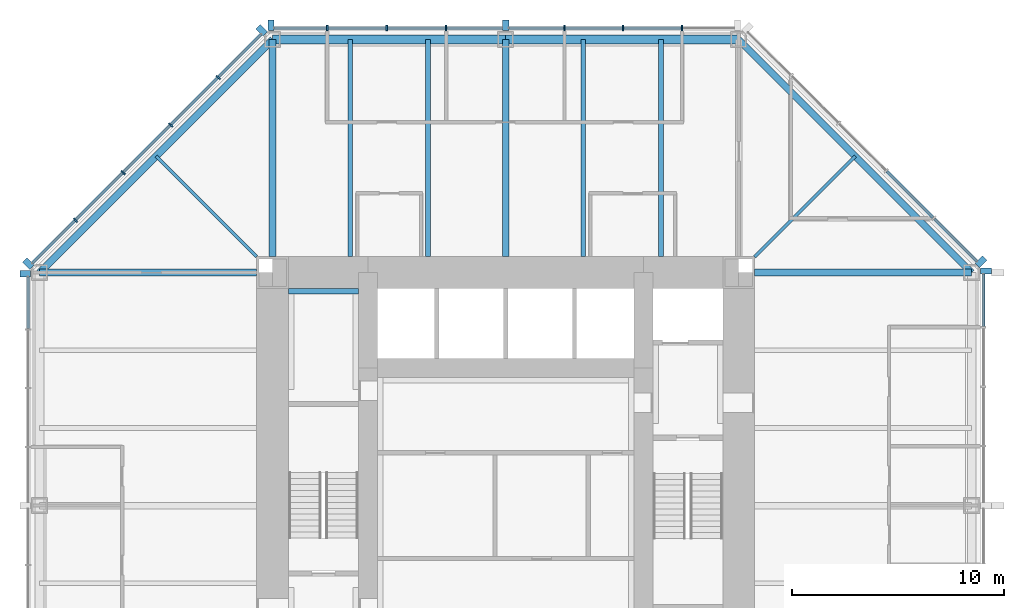
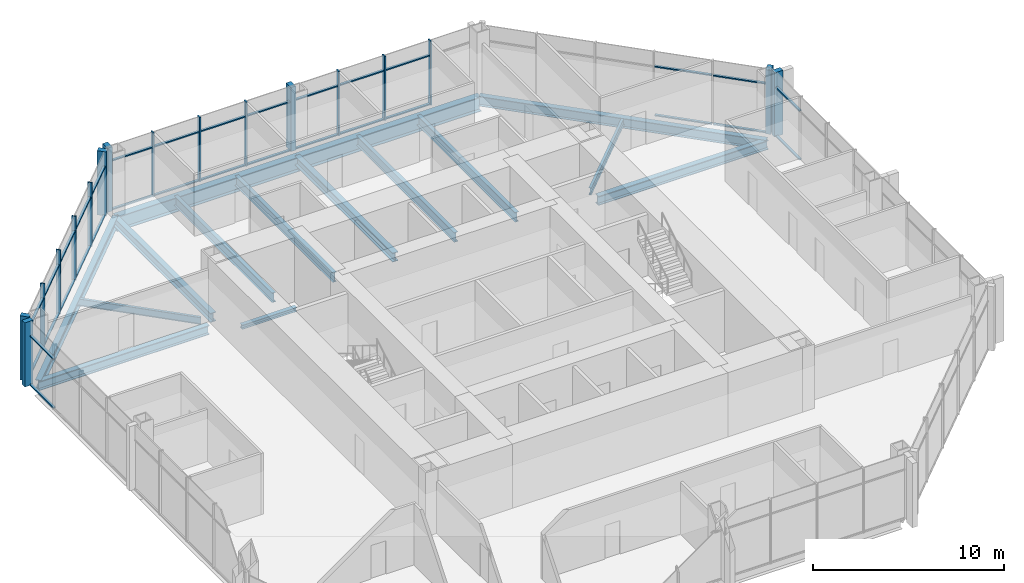
# One storey, part 5 of 12: 49 members, 15 beams, 5 elements without a shape of their own.
"""IFC4 building model written with IfcOpenShell, lengths in metres."""

from ifc_helpers import new_model, si_unit, direction, frame, origin, origin_2d, place, context, subcontext, project, spatial, rectangle, i_section, extrude, material, material_profile, profile_set, type_object, element, aggregate, save


model = new_model("IFC4")

# Units and contexts
model_context = context("Model", 3, precision=1e-05, world=origin(), true_north=direction((0.0, 1.0)))
body_context = subcontext(model_context, "Body", "Model", "MODEL_VIEW")
ifc_project = project(units=[si_unit("LENGTHUNIT", "METRE"), si_unit("AREAUNIT", "SQUARE_METRE"), si_unit("VOLUMEUNIT", "CUBIC_METRE"), si_unit("PLANEANGLEUNIT", "RADIAN"), si_unit("MASSUNIT", "GRAM", prefix="KILO")], contexts=[model_context])

# Site, building, storey
site_placement = place(None, origin())
site = spatial("IfcSite", under=ifc_project, at=site_placement, CompositionType="ELEMENT")
building_placement = place(site_placement, origin())
building = spatial("IfcBuilding", under=site, at=building_placement, Name="Trevanion Tower", CompositionType="ELEMENT")
storey_placement = place(building_placement, frame((0.0, 0.0, 150.0)))
storey = spatial("IfcBuildingStorey", under=building, at=storey_placement, Name="L35", CompositionType="ELEMENT", Elevation=150.0)

# Beams
ifc_material_1 = material(Name="Steel ASTM A992 Grade 50", Category="steel")
ifc_material_profile_1 = material_profile(ifc_material_1, i_section(OverallWidth=0.22900390625, OverallDepth=0.612060546875, WebThickness=0.011962890625, FlangeThickness=0.01953125, at=origin_2d()), Name="W24X84")
ifc_profile_set_1 = profile_set([ifc_material_profile_1], Name="Steel ASTM A992 Grade 50")
beam_type_1 = type_object("IfcBeamType", Name="B7 W24X84", PredefinedType="BEAM", material=ifc_profile_set_1)
for number, where, z_axis, x_axis, name in (
    (1, (7.333251953125, 11.75, -0.49609375), (0.0, 1.0, 0.0), (-1.0, 0.0, 0.0), "B7 L35"),
    (2, (3.666748046875, 11.75, -0.49609375), (0.0, 1.0, 0.0), (-1.0, 0.0, 0.0), "B7 L35"),
    (3, (-3.666748046875, 11.75, -0.49609375), (0.0, 1.0, 0.0), (-1.0, 0.0, 0.0), "B7 L35"),
    (4, (-7.333251953125, 11.75, -0.49609375), (0.0, 1.0, 0.0), (-1.0, 0.0, 0.0), "B7 L35"),
):
    element("IfcBeam", number, at=place(storey_placement, frame(where, z_axis=z_axis, x_axis=x_axis)), inside=storey, type_object=beam_type_1, Name=name, PredefinedType="BEAM", context=body_context, shape_type="SweptSolid", body=[
        extrude(i_section(OverallWidth=0.22900390625, OverallDepth=0.612060546875, WebThickness=0.011962890625, FlangeThickness=0.01953125, at=origin_2d()), origin(), (0.0, 0.0, 1.0), 10.25),
    ])
ifc_material_2 = material(Name="Steel ASTM A992 Grade 50", Category="steel")
ifc_material_profile_2 = material_profile(ifc_material_2, i_section(OverallWidth=0.15234375, OverallDepth=0.449462890625, WebThickness=0.007568359375, FlangeThickness=0.0107421875, at=origin_2d()), Name="W18X35")
ifc_profile_set_2 = profile_set([ifc_material_profile_2], Name="Steel ASTM A992 Grade 50")
beam_type_2 = type_object("IfcBeamType", Name="B8 W18X35", PredefinedType="BEAM", material=ifc_profile_set_2)
for number, where, z_axis, x_axis, name in (
    (5, (11.75, 11.75, -0.414794921875), (0.707106781187, 0.707106781187, 0.0), (-0.707106781187, 0.707106781187, 0.0), "B8 L35"),
    (6, (-11.75, 11.75, -0.414794921875), (-0.707106781187, 0.707106781187, 0.0), (-0.707106781187, -0.707106781187, 0.0), "B8 L35"),
):
    element("IfcBeam", number, at=place(storey_placement, frame(where, z_axis=z_axis, x_axis=x_axis)), inside=storey, type_object=beam_type_2, Name=name, PredefinedType="BEAM", context=body_context, shape_type="SweptSolid", body=[
        extrude(i_section(OverallWidth=0.15234375, OverallDepth=0.449462890625, WebThickness=0.007568359375, FlangeThickness=0.0107421875, at=origin_2d()), origin(), (0.0, 0.0, 1.0), 6.717529296875),
    ])

# Curtain wall, members
ifc_material_3 = material(Name="Aluminium and glass", Category="aluminium")
curtain_wall_type = type_object("IfcCurtainWallType", Name="CW2 curtain wall", PredefinedType="USERDEFINED", material=ifc_material_3)
curtain_wall_1_placement = place(storey_placement, origin())
curtain_wall_1 = element("IfcCurtainWall", 7, at=curtain_wall_1_placement, inside=storey, type_object=curtain_wall_type, Name="CW2 L35 2", ObjectType="UNITISED CURTAIN WALL", PredefinedType="USERDEFINED")
ifc_material_4 = material(Name="Aluminium extrusion, anodised bronze", Category="aluminium")
ifc_material_profile_3 = material_profile(ifc_material_4, rectangle(XDim=0.074951171875, YDim=0.25, at=origin_2d()), Name="CW2 mullion")
ifc_profile_set_3 = profile_set([ifc_material_profile_3], Name="Aluminium extrusion, anodised bronze")
member_type_1 = type_object("IfcMemberType", Name="CW2 mullion", PredefinedType="MULLION", material=ifc_profile_set_3)
member_1_placement = place(storey_placement, frame((8.323486328125, 22.550048828125, -0.18994140625), z_axis=(0.0, 0.0, 1.0), x_axis=(-1.0, 0.0, 0.0)))
member_1 = element("IfcMember", 8, at=member_1_placement, type_object=member_type_1, Name="CW2 mullion 2", PredefinedType="MULLION", context=body_context, shape_type="SweptSolid", body=[
    extrude(rectangle(XDim=0.074951171875, YDim=0.25, at=origin_2d()), origin(), (0.0, 0.0, 1.0), 4.099853515625),
])
member_2_placement = place(storey_placement, frame((5.548828125, 22.550048828125, -0.18994140625), z_axis=(0.0, 0.0, 1.0), x_axis=(-1.0, 0.0, 0.0)))
member_2 = element("IfcMember", 9, at=member_2_placement, type_object=member_type_1, Name="CW2 mullion 3", PredefinedType="MULLION", context=body_context, shape_type="SweptSolid", body=[
    extrude(rectangle(XDim=0.074951171875, YDim=0.25, at=origin_2d()), origin(), (0.0, 0.0, 1.0), 4.099853515625),
])
member_3_placement = place(storey_placement, frame((2.7744140625, 22.550048828125, -0.18994140625), z_axis=(0.0, 0.0, 1.0), x_axis=(-1.0, 0.0, 0.0)))
member_3 = element("IfcMember", 10, at=member_3_placement, type_object=member_type_1, Name="CW2 mullion 4", PredefinedType="MULLION", context=body_context, shape_type="SweptSolid", body=[
    extrude(rectangle(XDim=0.074951171875, YDim=0.25, at=origin_2d()), origin(), (0.0, 0.0, 1.0), 4.099853515625),
])
member_4_placement = place(storey_placement, frame((-2.806884765625, 22.550048828125, -0.18994140625), z_axis=(0.0, 0.0, 1.0), x_axis=(-1.0, 0.0, 0.0)))
member_4 = element("IfcMember", 11, at=member_4_placement, type_object=member_type_1, Name="CW2 mullion 6", PredefinedType="MULLION", context=body_context, shape_type="SweptSolid", body=[
    extrude(rectangle(XDim=0.074951171875, YDim=0.25, at=origin_2d()), origin(), (0.0, 0.0, 1.0), 4.099853515625),
])
member_5_placement = place(storey_placement, frame((-5.614013671875, 22.550048828125, -0.18994140625), z_axis=(0.0, 0.0, 1.0), x_axis=(-1.0, 0.0, 0.0)))
member_5 = element("IfcMember", 12, at=member_5_placement, type_object=member_type_1, Name="CW2 mullion 7", PredefinedType="MULLION", context=body_context, shape_type="SweptSolid", body=[
    extrude(rectangle(XDim=0.074951171875, YDim=0.25, at=origin_2d()), origin(), (0.0, 0.0, 1.0), 4.099853515625),
])
member_6_placement = place(storey_placement, frame((-8.4208984375, 22.550048828125, -0.18994140625), z_axis=(0.0, 0.0, 1.0), x_axis=(-1.0, 0.0, 0.0)))
member_6 = element("IfcMember", 13, at=member_6_placement, type_object=member_type_1, Name="CW2 mullion 8", PredefinedType="MULLION", context=body_context, shape_type="SweptSolid", body=[
    extrude(rectangle(XDim=0.074951171875, YDim=0.25, at=origin_2d()), origin(), (0.0, 0.0, 1.0), 4.099853515625),
])

curtain_wall_2_placement = place(storey_placement, origin())
curtain_wall_2 = element("IfcCurtainWall", 14, at=curtain_wall_2_placement, inside=storey, type_object=curtain_wall_type, Name="CW2 L35 3", ObjectType="UNITISED CURTAIN WALL", PredefinedType="USERDEFINED")
member_7_placement = place(storey_placement, frame((-13.56591796875, 20.2119140625, -0.18994140625), z_axis=(0.0, 0.0, 1.0), x_axis=(-0.707106781187, -0.707106781187, 0.0)))
member_7 = element("IfcMember", 15, at=member_7_placement, type_object=member_type_1, Name="CW2 mullion 2", PredefinedType="MULLION", context=body_context, shape_type="SweptSolid", body=[
    extrude(rectangle(XDim=0.074951171875, YDim=0.25, at=origin_2d()), origin(), (0.0, 0.0, 1.0), 4.099853515625),
])
member_8_placement = place(storey_placement, frame((-15.811767578125, 17.966064453125, -0.18994140625), z_axis=(0.0, 0.0, 1.0), x_axis=(-0.707106781187, -0.707106781187, 0.0)))
member_8 = element("IfcMember", 16, at=member_8_placement, type_object=member_type_1, Name="CW2 mullion 3", PredefinedType="MULLION", context=body_context, shape_type="SweptSolid", body=[
    extrude(rectangle(XDim=0.074951171875, YDim=0.25, at=origin_2d()), origin(), (0.0, 0.0, 1.0), 4.099853515625),
])
member_9_placement = place(storey_placement, frame((-18.057861328125, 15.719970703125, -0.18994140625), z_axis=(0.0, 0.0, 1.0), x_axis=(-0.707106781187, -0.707106781187, 0.0)))
member_9 = element("IfcMember", 17, at=member_9_placement, type_object=member_type_1, Name="CW2 mullion 4", PredefinedType="MULLION", context=body_context, shape_type="SweptSolid", body=[
    extrude(rectangle(XDim=0.074951171875, YDim=0.25, at=origin_2d()), origin(), (0.0, 0.0, 1.0), 4.099853515625),
])
member_10_placement = place(storey_placement, frame((-20.303955078125, 13.473876953125, -0.18994140625), z_axis=(0.0, 0.0, 1.0), x_axis=(-0.707106781187, -0.707106781187, 0.0)))
member_10 = element("IfcMember", 18, at=member_10_placement, type_object=member_type_1, Name="CW2 mullion 5", PredefinedType="MULLION", context=body_context, shape_type="SweptSolid", body=[
    extrude(rectangle(XDim=0.074951171875, YDim=0.25, at=origin_2d()), origin(), (0.0, 0.0, 1.0), 4.099853515625),
])

# Curtain wall, member
curtain_wall_3_placement = place(storey_placement, origin())
curtain_wall_3 = element("IfcCurtainWall", 19, at=curtain_wall_3_placement, inside=storey, type_object=curtain_wall_type, Name="CW2 L35 0", ObjectType="UNITISED CURTAIN WALL", PredefinedType="USERDEFINED")
ifc_material_5 = material(Name="Aluminium extrusion, anodised bronze", Category="aluminium")
ifc_material_profile_4 = material_profile(ifc_material_5, rectangle(XDim=0.300048828125, YDim=0.5, at=origin_2d()), Name="CW2 pier mullion")
ifc_profile_set_4 = profile_set([ifc_material_profile_4], Name="Aluminium extrusion, anodised bronze")
member_type_2 = type_object("IfcMemberType", Name="CW2 pier mullion", PredefinedType="MULLION", material=ifc_profile_set_4)
member_11_placement = place(storey_placement, frame((22.675048828125, 11.077880859375, -0.18994140625), z_axis=(0.0, 0.0, 1.0), x_axis=(0.0, 1.0, 0.0)))
member_11 = element("IfcMember", 20, at=member_11_placement, type_object=member_type_2, Name="CW2 pier mullion 9", PredefinedType="MULLION", context=body_context, shape_type="SweptSolid", body=[
    extrude(rectangle(XDim=0.300048828125, YDim=0.5, at=origin_2d()), origin(), (0.0, 0.0, 1.0), 4.099853515625),
])

curtain_wall_4_placement = place(storey_placement, origin())
curtain_wall_4 = element("IfcCurtainWall", 21, at=curtain_wall_4_placement, inside=storey, type_object=curtain_wall_type, Name="CW2 L35 1", ObjectType="UNITISED CURTAIN WALL", PredefinedType="USERDEFINED")
member_12_placement = place(storey_placement, frame((22.4404296875, 11.51416015625, -0.18994140625), z_axis=(0.0, 0.0, 1.0), x_axis=(-0.707106781187, 0.707106781187, 0.0)))
member_12 = element("IfcMember", 22, at=member_12_placement, type_object=member_type_2, Name="CW2 pier mullion 1", PredefinedType="MULLION", context=body_context, shape_type="SweptSolid", body=[
    extrude(rectangle(XDim=0.300048828125, YDim=0.5, at=origin_2d()), origin(), (0.0, 0.0, 1.0), 4.099853515625),
])

# Member
member_13_placement = place(storey_placement, frame((0.0, 22.675048828125, -0.18994140625), z_axis=(0.0, 0.0, 1.0), x_axis=(-1.0, 0.0, 0.0)))
member_13 = element("IfcMember", 23, at=member_13_placement, type_object=member_type_2, Name="CW2 pier mullion 5", PredefinedType="MULLION", context=body_context, shape_type="SweptSolid", body=[
    extrude(rectangle(XDim=0.300048828125, YDim=0.5, at=origin_2d()), origin(), (0.0, 0.0, 1.0), 4.099853515625),
])

member_14_placement = place(storey_placement, frame((-11.077880859375, 22.675048828125, -0.18994140625), z_axis=(0.0, 0.0, 1.0), x_axis=(-1.0, 0.0, 0.0)))
member_14 = element("IfcMember", 24, at=member_14_placement, type_object=member_type_2, Name="CW2 pier mullion 9", PredefinedType="MULLION", context=body_context, shape_type="SweptSolid", body=[
    extrude(rectangle(XDim=0.300048828125, YDim=0.5, at=origin_2d()), origin(), (0.0, 0.0, 1.0), 4.099853515625),
])

member_15_placement = place(storey_placement, frame((-11.51416015625, 22.4404296875, -0.18994140625), z_axis=(0.0, 0.0, 1.0), x_axis=(-0.707106781187, -0.707106781187, 0.0)))
member_15 = element("IfcMember", 25, at=member_15_placement, type_object=member_type_2, Name="CW2 pier mullion 1", PredefinedType="MULLION", context=body_context, shape_type="SweptSolid", body=[
    extrude(rectangle(XDim=0.300048828125, YDim=0.5, at=origin_2d()), origin(), (0.0, 0.0, 1.0), 4.099853515625),
])

member_16_placement = place(storey_placement, frame((-22.5322265625, 11.42236328125, -0.18994140625), z_axis=(0.0, 0.0, 1.0), x_axis=(-0.707106781187, -0.707106781187, 0.0)))
member_16 = element("IfcMember", 26, at=member_16_placement, type_object=member_type_2, Name="CW2 pier mullion 6", PredefinedType="MULLION", context=body_context, shape_type="SweptSolid", body=[
    extrude(rectangle(XDim=0.300048828125, YDim=0.5, at=origin_2d()), origin(), (0.0, 0.0, 1.0), 4.099853515625),
])

# Curtain wall, member
curtain_wall_5_placement = place(storey_placement, origin())
curtain_wall_5 = element("IfcCurtainWall", 27, at=curtain_wall_5_placement, inside=storey, type_object=curtain_wall_type, Name="CW2 L35 4", ObjectType="UNITISED CURTAIN WALL", PredefinedType="USERDEFINED")
member_17_placement = place(storey_placement, frame((-22.675048828125, 10.94775390625, -0.18994140625), z_axis=(0.0, 0.0, 1.0), x_axis=(0.0, -1.0, 0.0)))
member_17 = element("IfcMember", 28, at=member_17_placement, type_object=member_type_2, Name="CW2 pier mullion 1", PredefinedType="MULLION", context=body_context, shape_type="SweptSolid", body=[
    extrude(rectangle(XDim=0.300048828125, YDim=0.5, at=origin_2d()), origin(), (0.0, 0.0, 1.0), 4.099853515625),
])

# Member
ifc_material_6 = material(Name="Aluminium extrusion, anodised bronze", Category="aluminium")
ifc_material_profile_5 = material_profile(ifc_material_6, rectangle(XDim=0.14990234375, YDim=0.074951171875, at=origin_2d()), Name="CW2 transom")
ifc_profile_set_5 = profile_set([ifc_material_profile_5], Name="Aluminium extrusion, anodised bronze")
member_type_3 = type_object("IfcMemberType", Name="CW2 transom", PredefinedType="USERDEFINED", material=ifc_profile_set_5)
member_18_placement = place(storey_placement, frame((22.550048828125, 8.45849609375, -0.152587890625), z_axis=(0.0, 1.0, 0.0), x_axis=(-1.0, 0.0, 0.0)))
member_18 = element("IfcMember", 29, at=member_18_placement, type_object=member_type_3, Name="CW2 transom 8.1", ObjectType="TRANSOM", PredefinedType="USERDEFINED", context=body_context, shape_type="SweptSolid", body=[
    extrude(rectangle(XDim=0.14990234375, YDim=0.074951171875, at=origin_2d()), origin(), (0.0, 0.0, 1.0), 2.46923828125),
])

member_19_placement = place(storey_placement, frame((22.550048828125, 8.45849609375, 2.9599609375), z_axis=(0.0, 1.0, 0.0), x_axis=(-1.0, 0.0, 0.0)))
member_19 = element("IfcMember", 30, at=member_19_placement, type_object=member_type_3, Name="CW2 transom 8.2", ObjectType="TRANSOM", PredefinedType="USERDEFINED", context=body_context, shape_type="SweptSolid", body=[
    extrude(rectangle(XDim=0.14990234375, YDim=0.074951171875, at=origin_2d()), origin(), (0.0, 0.0, 1.0), 2.46923828125),
])

aggregate(curtain_wall_3, [member_11, member_18, member_19])

member_20_placement = place(storey_placement, frame((22.245849609375, 11.531982421875, -0.152587890625), z_axis=(-0.707106781187, 0.707106781187, 0.0), x_axis=(-0.707106781187, -0.707106781187, 0.0)))
member_20 = element("IfcMember", 31, at=member_20_placement, type_object=member_type_3, Name="CW2 transom 1.1", ObjectType="TRANSOM", PredefinedType="USERDEFINED", context=body_context, shape_type="SweptSolid", body=[
    extrude(rectangle(XDim=0.14990234375, YDim=0.074951171875, at=origin_2d()), origin(), (0.0, 0.0, 1.0), 2.8388671875),
])

member_21_placement = place(storey_placement, frame((22.245849609375, 11.531982421875, 2.9599609375), z_axis=(-0.707106781187, 0.707106781187, 0.0), x_axis=(-0.707106781187, -0.707106781187, 0.0)))
member_21 = element("IfcMember", 32, at=member_21_placement, type_object=member_type_3, Name="CW2 transom 1.2", ObjectType="TRANSOM", PredefinedType="USERDEFINED", context=body_context, shape_type="SweptSolid", body=[
    extrude(rectangle(XDim=0.14990234375, YDim=0.074951171875, at=origin_2d()), origin(), (0.0, 0.0, 1.0), 2.8388671875),
])

member_22_placement = place(storey_placement, frame((20.185546875, 13.59228515625, -0.152587890625), z_axis=(-0.707106781187, 0.707106781187, 0.0), x_axis=(-0.707106781187, -0.707106781187, 0.0)))
member_22 = element("IfcMember", 33, at=member_22_placement, type_object=member_type_3, Name="CW2 transom 2.1", ObjectType="TRANSOM", PredefinedType="USERDEFINED", context=body_context, shape_type="SweptSolid", body=[
    extrude(rectangle(XDim=0.14990234375, YDim=0.074951171875, at=origin_2d()), origin(), (0.0, 0.0, 1.0), 3.1015625),
])

member_23_placement = place(storey_placement, frame((20.185546875, 13.59228515625, 2.9599609375), z_axis=(-0.707106781187, 0.707106781187, 0.0), x_axis=(-0.707106781187, -0.707106781187, 0.0)))
member_23 = element("IfcMember", 34, at=member_23_placement, type_object=member_type_3, Name="CW2 transom 2.2", ObjectType="TRANSOM", PredefinedType="USERDEFINED", context=body_context, shape_type="SweptSolid", body=[
    extrude(rectangle(XDim=0.14990234375, YDim=0.074951171875, at=origin_2d()), origin(), (0.0, 0.0, 1.0), 3.1015625),
])

aggregate(curtain_wall_4, [member_12, member_20, member_21, member_22, member_23])

member_24_placement = place(storey_placement, frame((8.285888671875, 22.550048828125, -0.152587890625), z_axis=(-1.0, 0.0, 0.0), x_axis=(0.0, -1.0, 0.0)))
member_24 = element("IfcMember", 35, at=member_24_placement, type_object=member_type_3, Name="CW2 transom 2.1", ObjectType="TRANSOM", PredefinedType="USERDEFINED", context=body_context, shape_type="SweptSolid", body=[
    extrude(rectangle(XDim=0.14990234375, YDim=0.074951171875, at=origin_2d()), origin(), (0.0, 0.0, 1.0), 2.699462890625),
])

member_25_placement = place(storey_placement, frame((8.285888671875, 22.550048828125, 2.9599609375), z_axis=(-1.0, 0.0, 0.0), x_axis=(0.0, -1.0, 0.0)))
member_25 = element("IfcMember", 36, at=member_25_placement, type_object=member_type_3, Name="CW2 transom 2.2", ObjectType="TRANSOM", PredefinedType="USERDEFINED", context=body_context, shape_type="SweptSolid", body=[
    extrude(rectangle(XDim=0.14990234375, YDim=0.074951171875, at=origin_2d()), origin(), (0.0, 0.0, 1.0), 2.699462890625),
])

member_26_placement = place(storey_placement, frame((5.511474609375, 22.550048828125, -0.152587890625), z_axis=(-1.0, 0.0, 0.0), x_axis=(0.0, -1.0, 0.0)))
member_26 = element("IfcMember", 37, at=member_26_placement, type_object=member_type_3, Name="CW2 transom 3.1", ObjectType="TRANSOM", PredefinedType="USERDEFINED", context=body_context, shape_type="SweptSolid", body=[
    extrude(rectangle(XDim=0.14990234375, YDim=0.074951171875, at=origin_2d()), origin(), (0.0, 0.0, 1.0), 2.699462890625),
])

member_27_placement = place(storey_placement, frame((5.511474609375, 22.550048828125, 2.9599609375), z_axis=(-1.0, 0.0, 0.0), x_axis=(0.0, -1.0, 0.0)))
member_27 = element("IfcMember", 38, at=member_27_placement, type_object=member_type_3, Name="CW2 transom 3.2", ObjectType="TRANSOM", PredefinedType="USERDEFINED", context=body_context, shape_type="SweptSolid", body=[
    extrude(rectangle(XDim=0.14990234375, YDim=0.074951171875, at=origin_2d()), origin(), (0.0, 0.0, 1.0), 2.699462890625),
])

member_28_placement = place(storey_placement, frame((2.737060546875, 22.550048828125, -0.152587890625), z_axis=(-1.0, 0.0, 0.0), x_axis=(0.0, -1.0, 0.0)))
member_28 = element("IfcMember", 39, at=member_28_placement, type_object=member_type_3, Name="CW2 transom 4.1", ObjectType="TRANSOM", PredefinedType="USERDEFINED", context=body_context, shape_type="SweptSolid", body=[
    extrude(rectangle(XDim=0.14990234375, YDim=0.074951171875, at=origin_2d()), origin(), (0.0, 0.0, 1.0), 2.587158203125),
])

member_29_placement = place(storey_placement, frame((2.737060546875, 22.550048828125, 2.9599609375), z_axis=(-1.0, 0.0, 0.0), x_axis=(0.0, -1.0, 0.0)))
member_29 = element("IfcMember", 40, at=member_29_placement, type_object=member_type_3, Name="CW2 transom 4.2", ObjectType="TRANSOM", PredefinedType="USERDEFINED", context=body_context, shape_type="SweptSolid", body=[
    extrude(rectangle(XDim=0.14990234375, YDim=0.074951171875, at=origin_2d()), origin(), (0.0, 0.0, 1.0), 2.587158203125),
])

member_30_placement = place(storey_placement, frame((-0.14990234375, 22.550048828125, -0.152587890625), z_axis=(-1.0, 0.0, 0.0), x_axis=(0.0, -1.0, 0.0)))
member_30 = element("IfcMember", 41, at=member_30_placement, type_object=member_type_3, Name="CW2 transom 5.1", ObjectType="TRANSOM", PredefinedType="USERDEFINED", context=body_context, shape_type="SweptSolid", body=[
    extrude(rectangle(XDim=0.14990234375, YDim=0.074951171875, at=origin_2d()), origin(), (0.0, 0.0, 1.0), 2.619384765625),
])

member_31_placement = place(storey_placement, frame((-0.14990234375, 22.550048828125, 2.9599609375), z_axis=(-1.0, 0.0, 0.0), x_axis=(0.0, -1.0, 0.0)))
member_31 = element("IfcMember", 42, at=member_31_placement, type_object=member_type_3, Name="CW2 transom 5.2", ObjectType="TRANSOM", PredefinedType="USERDEFINED", context=body_context, shape_type="SweptSolid", body=[
    extrude(rectangle(XDim=0.14990234375, YDim=0.074951171875, at=origin_2d()), origin(), (0.0, 0.0, 1.0), 2.619384765625),
])

member_32_placement = place(storey_placement, frame((-2.844482421875, 22.550048828125, -0.152587890625), z_axis=(-1.0, 0.0, 0.0), x_axis=(0.0, -1.0, 0.0)))
member_32 = element("IfcMember", 43, at=member_32_placement, type_object=member_type_3, Name="CW2 transom 6.1", ObjectType="TRANSOM", PredefinedType="USERDEFINED", context=body_context, shape_type="SweptSolid", body=[
    extrude(rectangle(XDim=0.14990234375, YDim=0.074951171875, at=origin_2d()), origin(), (0.0, 0.0, 1.0), 2.73193359375),
])

member_33_placement = place(storey_placement, frame((-2.844482421875, 22.550048828125, 2.9599609375), z_axis=(-1.0, 0.0, 0.0), x_axis=(0.0, -1.0, 0.0)))
member_33 = element("IfcMember", 44, at=member_33_placement, type_object=member_type_3, Name="CW2 transom 6.2", ObjectType="TRANSOM", PredefinedType="USERDEFINED", context=body_context, shape_type="SweptSolid", body=[
    extrude(rectangle(XDim=0.14990234375, YDim=0.074951171875, at=origin_2d()), origin(), (0.0, 0.0, 1.0), 2.73193359375),
])

member_34_placement = place(storey_placement, frame((-5.6513671875, 22.550048828125, -0.152587890625), z_axis=(-1.0, 0.0, 0.0), x_axis=(0.0, -1.0, 0.0)))
member_34 = element("IfcMember", 45, at=member_34_placement, type_object=member_type_3, Name="CW2 transom 7.1", ObjectType="TRANSOM", PredefinedType="USERDEFINED", context=body_context, shape_type="SweptSolid", body=[
    extrude(rectangle(XDim=0.14990234375, YDim=0.074951171875, at=origin_2d()), origin(), (0.0, 0.0, 1.0), 2.73193359375),
])

member_35_placement = place(storey_placement, frame((-5.6513671875, 22.550048828125, 2.9599609375), z_axis=(-1.0, 0.0, 0.0), x_axis=(0.0, -1.0, 0.0)))
member_35 = element("IfcMember", 46, at=member_35_placement, type_object=member_type_3, Name="CW2 transom 7.2", ObjectType="TRANSOM", PredefinedType="USERDEFINED", context=body_context, shape_type="SweptSolid", body=[
    extrude(rectangle(XDim=0.14990234375, YDim=0.074951171875, at=origin_2d()), origin(), (0.0, 0.0, 1.0), 2.73193359375),
])

member_36_placement = place(storey_placement, frame((-8.45849609375, 22.550048828125, -0.152587890625), z_axis=(-1.0, 0.0, 0.0), x_axis=(0.0, -1.0, 0.0)))
member_36 = element("IfcMember", 47, at=member_36_placement, type_object=member_type_3, Name="CW2 transom 8.1", ObjectType="TRANSOM", PredefinedType="USERDEFINED", context=body_context, shape_type="SweptSolid", body=[
    extrude(rectangle(XDim=0.14990234375, YDim=0.074951171875, at=origin_2d()), origin(), (0.0, 0.0, 1.0), 2.46923828125),
])

member_37_placement = place(storey_placement, frame((-8.45849609375, 22.550048828125, 2.9599609375), z_axis=(-1.0, 0.0, 0.0), x_axis=(0.0, -1.0, 0.0)))
member_37 = element("IfcMember", 48, at=member_37_placement, type_object=member_type_3, Name="CW2 transom 8.2", ObjectType="TRANSOM", PredefinedType="USERDEFINED", context=body_context, shape_type="SweptSolid", body=[
    extrude(rectangle(XDim=0.14990234375, YDim=0.074951171875, at=origin_2d()), origin(), (0.0, 0.0, 1.0), 2.46923828125),
])

aggregate(curtain_wall_1, [member_1, member_2, member_3, member_13, member_4, member_5, member_6, member_14, member_24, member_25, member_26, member_27, member_28, member_29, member_30, member_31, member_32, member_33, member_34, member_35, member_36, member_37])

member_38_placement = place(storey_placement, frame((-11.531982421875, 22.245849609375, -0.152587890625), z_axis=(-0.707106781187, -0.707106781187, 0.0), x_axis=(0.707106781187, -0.707106781187, 0.0)))
member_38 = element("IfcMember", 49, at=member_38_placement, type_object=member_type_3, Name="CW2 transom 1.1", ObjectType="TRANSOM", PredefinedType="USERDEFINED", context=body_context, shape_type="SweptSolid", body=[
    extrude(rectangle(XDim=0.14990234375, YDim=0.074951171875, at=origin_2d()), origin(), (0.0, 0.0, 1.0), 2.8388671875),
])

member_39_placement = place(storey_placement, frame((-11.531982421875, 22.245849609375, 2.9599609375), z_axis=(-0.707106781187, -0.707106781187, 0.0), x_axis=(0.707106781187, -0.707106781187, 0.0)))
member_39 = element("IfcMember", 50, at=member_39_placement, type_object=member_type_3, Name="CW2 transom 1.2", ObjectType="TRANSOM", PredefinedType="USERDEFINED", context=body_context, shape_type="SweptSolid", body=[
    extrude(rectangle(XDim=0.14990234375, YDim=0.074951171875, at=origin_2d()), origin(), (0.0, 0.0, 1.0), 2.8388671875),
])

member_40_placement = place(storey_placement, frame((-13.59228515625, 20.185546875, -0.152587890625), z_axis=(-0.707106781187, -0.707106781187, 0.0), x_axis=(0.707106781187, -0.707106781187, 0.0)))
member_40 = element("IfcMember", 51, at=member_40_placement, type_object=member_type_3, Name="CW2 transom 2.1", ObjectType="TRANSOM", PredefinedType="USERDEFINED", context=body_context, shape_type="SweptSolid", body=[
    extrude(rectangle(XDim=0.14990234375, YDim=0.074951171875, at=origin_2d()), origin(), (0.0, 0.0, 1.0), 3.1015625),
])

member_41_placement = place(storey_placement, frame((-13.59228515625, 20.185546875, 2.9599609375), z_axis=(-0.707106781187, -0.707106781187, 0.0), x_axis=(0.707106781187, -0.707106781187, 0.0)))
member_41 = element("IfcMember", 52, at=member_41_placement, type_object=member_type_3, Name="CW2 transom 2.2", ObjectType="TRANSOM", PredefinedType="USERDEFINED", context=body_context, shape_type="SweptSolid", body=[
    extrude(rectangle(XDim=0.14990234375, YDim=0.074951171875, at=origin_2d()), origin(), (0.0, 0.0, 1.0), 3.1015625),
])

member_42_placement = place(storey_placement, frame((-15.83837890625, 17.939453125, -0.152587890625), z_axis=(-0.707106781187, -0.707106781187, 0.0), x_axis=(0.707106781187, -0.707106781187, 0.0)))
member_42 = element("IfcMember", 53, at=member_42_placement, type_object=member_type_3, Name="CW2 transom 3.1", ObjectType="TRANSOM", PredefinedType="USERDEFINED", context=body_context, shape_type="SweptSolid", body=[
    extrude(rectangle(XDim=0.14990234375, YDim=0.074951171875, at=origin_2d()), origin(), (0.0, 0.0, 1.0), 3.1015625),
])

member_43_placement = place(storey_placement, frame((-15.83837890625, 17.939453125, 2.9599609375), z_axis=(-0.707106781187, -0.707106781187, 0.0), x_axis=(0.707106781187, -0.707106781187, 0.0)))
member_43 = element("IfcMember", 54, at=member_43_placement, type_object=member_type_3, Name="CW2 transom 3.2", ObjectType="TRANSOM", PredefinedType="USERDEFINED", context=body_context, shape_type="SweptSolid", body=[
    extrude(rectangle(XDim=0.14990234375, YDim=0.074951171875, at=origin_2d()), origin(), (0.0, 0.0, 1.0), 3.1015625),
])

member_44_placement = place(storey_placement, frame((-18.08447265625, 15.693359375, -0.152587890625), z_axis=(-0.707106781187, -0.707106781187, 0.0), x_axis=(0.707106781187, -0.707106781187, 0.0)))
member_44 = element("IfcMember", 55, at=member_44_placement, type_object=member_type_3, Name="CW2 transom 4.1", ObjectType="TRANSOM", PredefinedType="USERDEFINED", context=body_context, shape_type="SweptSolid", body=[
    extrude(rectangle(XDim=0.14990234375, YDim=0.074951171875, at=origin_2d()), origin(), (0.0, 0.0, 1.0), 3.10107421875),
])

member_45_placement = place(storey_placement, frame((-18.08447265625, 15.693359375, 2.9599609375), z_axis=(-0.707106781187, -0.707106781187, 0.0), x_axis=(0.707106781187, -0.707106781187, 0.0)))
member_45 = element("IfcMember", 56, at=member_45_placement, type_object=member_type_3, Name="CW2 transom 4.2", ObjectType="TRANSOM", PredefinedType="USERDEFINED", context=body_context, shape_type="SweptSolid", body=[
    extrude(rectangle(XDim=0.14990234375, YDim=0.074951171875, at=origin_2d()), origin(), (0.0, 0.0, 1.0), 3.10107421875),
])

member_46_placement = place(storey_placement, frame((-20.33056640625, 13.447509765625, -0.152587890625), z_axis=(-0.707063781595, -0.707149778163, 0.0), x_axis=(0.707149778163, -0.707063781595, 0.0)))
member_46 = element("IfcMember", 57, at=member_46_placement, type_object=member_type_3, Name="CW2 transom 5.1", ObjectType="TRANSOM", PredefinedType="USERDEFINED", context=body_context, shape_type="SweptSolid", body=[
    extrude(rectangle(XDim=0.14990234375, YDim=0.074951171875, at=origin_2d()), origin(), (0.0, 0.0, 1.0), 2.8388671875),
])

member_47_placement = place(storey_placement, frame((-20.33056640625, 13.447509765625, 2.9599609375), z_axis=(-0.707063781595, -0.707149778163, 0.0), x_axis=(0.707149778163, -0.707063781595, 0.0)))
member_47 = element("IfcMember", 58, at=member_47_placement, type_object=member_type_3, Name="CW2 transom 5.2", ObjectType="TRANSOM", PredefinedType="USERDEFINED", context=body_context, shape_type="SweptSolid", body=[
    extrude(rectangle(XDim=0.14990234375, YDim=0.074951171875, at=origin_2d()), origin(), (0.0, 0.0, 1.0), 2.8388671875),
])

aggregate(curtain_wall_2, [member_15, member_7, member_8, member_9, member_10, member_16, member_38, member_39, member_40, member_41, member_42, member_43, member_44, member_45, member_46, member_47])

member_48_placement = place(storey_placement, frame((-22.550048828125, 10.7978515625, -0.152587890625), z_axis=(0.0, -1.0, 0.0), x_axis=(1.0, 0.0, 0.0)))
member_48 = element("IfcMember", 59, at=member_48_placement, type_object=member_type_3, Name="CW2 transom 1.1", ObjectType="TRANSOM", PredefinedType="USERDEFINED", context=body_context, shape_type="SweptSolid", body=[
    extrude(rectangle(XDim=0.14990234375, YDim=0.074951171875, at=origin_2d()), origin(), (0.0, 0.0, 1.0), 2.43701171875),
])

member_49_placement = place(storey_placement, frame((-22.550048828125, 10.7978515625, 2.9599609375), z_axis=(0.0, -1.0, 0.0), x_axis=(1.0, 0.0, 0.0)))
member_49 = element("IfcMember", 60, at=member_49_placement, type_object=member_type_3, Name="CW2 transom 1.2", ObjectType="TRANSOM", PredefinedType="USERDEFINED", context=body_context, shape_type="SweptSolid", body=[
    extrude(rectangle(XDim=0.14990234375, YDim=0.074951171875, at=origin_2d()), origin(), (0.0, 0.0, 1.0), 2.43701171875),
])

aggregate(curtain_wall_5, [member_17, member_48, member_49])

# Beams
ifc_material_7 = material(Name="Steel ASTM A992 Grade 50", Category="steel")
ifc_material_profile_6 = material_profile(ifc_material_7, i_section(OverallWidth=0.320068359375, OverallDepth=0.584228515625, WebThickness=0.023193359375, FlangeThickness=0.04150390625, at=origin_2d()), Name="W21X201")
ifc_profile_set_6 = profile_set([ifc_material_profile_6], Name="Steel ASTM A992 Grade 50")
beam_type_3 = type_object("IfcBeamType", Name="G4 W21X201", PredefinedType="BEAM", material=ifc_profile_set_6)
for number, where, z_axis, x_axis, name in (
    (61, (11.75, 11.0, -0.482177734375), (1.0, 0.0, 0.0), (0.0, 1.0, 0.0), "G4 L35"),
    (62, (0.0, 11.75, -0.482177734375), (0.0, 1.0, 0.0), (-1.0, 0.0, 0.0), "G4 L35"),
    (63, (-11.0, 11.75, -0.482177734375), (0.0, 1.0, 0.0), (-1.0, 0.0, 0.0), "G4 L35"),
    (64, (-11.75, 11.0, -0.482177734375), (-1.0, 0.0, 0.0), (0.0, -1.0, 0.0), "G4 L35"),
):
    element("IfcBeam", number, at=place(storey_placement, frame(where, z_axis=z_axis, x_axis=x_axis)), inside=storey, type_object=beam_type_3, Name=name, PredefinedType="BEAM", context=body_context, shape_type="SweptSolid", body=[
        extrude(i_section(OverallWidth=0.320068359375, OverallDepth=0.584228515625, WebThickness=0.023193359375, FlangeThickness=0.04150390625, at=origin_2d()), origin(), (0.0, 0.0, 1.0), 10.25),
    ])
ifc_material_8 = material(Name="Steel ASTM A992 Grade 50", Category="steel")
ifc_material_profile_7 = material_profile(ifc_material_8, i_section(OverallWidth=0.256591796875, OverallDepth=0.26416015625, WebThickness=0.011962890625, FlangeThickness=0.01953125, at=origin_2d()), Name="W10X68")
ifc_profile_set_7 = profile_set([ifc_material_profile_7], Name="Steel ASTM A992 Grade 50")
beam_type_4 = type_object("IfcBeamType", Name="LB1 W10X68", PredefinedType="BEAM", material=ifc_profile_set_7)
beam_placement = place(storey_placement, frame((-10.25, 10.12158203125, -0.33203125), z_axis=(1.0, 0.0, 0.0), x_axis=(0.0, 1.0, 0.0)))
element("IfcBeam", 65, at=beam_placement, inside=storey, type_object=beam_type_4, Name="LB1 L35", PredefinedType="BEAM", context=body_context, shape_type="SweptSolid", body=[
    extrude(i_section(OverallWidth=0.256591796875, OverallDepth=0.26416015625, WebThickness=0.011962890625, FlangeThickness=0.01953125, at=origin_2d()), origin(), (0.0, 0.0, 1.0), 3.300048828125),
])
ifc_material_9 = material(Name="Steel ASTM A992 Grade 50", Category="steel")
ifc_material_profile_8 = material_profile(ifc_material_9, i_section(OverallWidth=0.419189453125, OverallDepth=0.927001953125, WebThickness=0.019287109375, FlangeThickness=0.031982421875, at=origin_2d()), Name="W36X231")
ifc_profile_set_8 = profile_set([ifc_material_profile_8], Name="Steel ASTM A992 Grade 50")
beam_type_5 = type_object("IfcBeamType", Name="SB4 W36X231", PredefinedType="SPANDREL", material=ifc_profile_set_8)
for number, where, z_axis, x_axis, name in (
    (66, (11.0, 22.0, -0.653564453125), (-1.0, 0.0, 0.0), (0.0, -1.0, 0.0), "SB4 L35"),
    (67, (0.0, 22.0, -0.653564453125), (-1.0, 0.0, 0.0), (0.0, -1.0, 0.0), "SB4 L35"),
):
    element("IfcBeam", number, at=place(storey_placement, frame(where, z_axis=z_axis, x_axis=x_axis)), inside=storey, type_object=beam_type_5, Name=name, PredefinedType="SPANDREL", context=body_context, shape_type="SweptSolid", body=[
        extrude(i_section(OverallWidth=0.419189453125, OverallDepth=0.927001953125, WebThickness=0.019287109375, FlangeThickness=0.031982421875, at=origin_2d()), origin(), (0.0, 0.0, 1.0), 11.0),
    ])
ifc_material_10 = material(Name="Steel ASTM A992 Grade 50", Category="steel")
ifc_material_profile_9 = material_profile(ifc_material_10, i_section(OverallWidth=0.32763671875, OverallDepth=0.62744140625, WebThickness=0.0166015625, FlangeThickness=0.027587890625, at=origin_2d()), Name="W24X146")
ifc_profile_set_9 = profile_set([ifc_material_profile_9], Name="Steel ASTM A992 Grade 50")
beam_type_6 = type_object("IfcBeamType", Name="SB5 W24X146", PredefinedType="SPANDREL", material=ifc_profile_set_9)
for number, where, z_axis, x_axis, name in (
    (68, (22.0, 11.0, -0.503662109375), (-0.707106781187, 0.707106781187, 0.0), (-0.707106781187, -0.707106781187, 0.0), "SB5 L35"),
    (69, (-11.0, 22.0, -0.503662109375), (-0.707106781187, -0.707106781187, 0.0), (0.707106781187, -0.707106781187, 0.0), "SB5 L35"),
):
    element("IfcBeam", number, at=place(storey_placement, frame(where, z_axis=z_axis, x_axis=x_axis)), inside=storey, type_object=beam_type_6, Name=name, PredefinedType="SPANDREL", context=body_context, shape_type="SweptSolid", body=[
        extrude(i_section(OverallWidth=0.32763671875, OverallDepth=0.62744140625, WebThickness=0.0166015625, FlangeThickness=0.027587890625, at=origin_2d()), origin(), (0.0, 0.0, 1.0), 15.556396484375),
    ])

save(model, "model.ifc")
